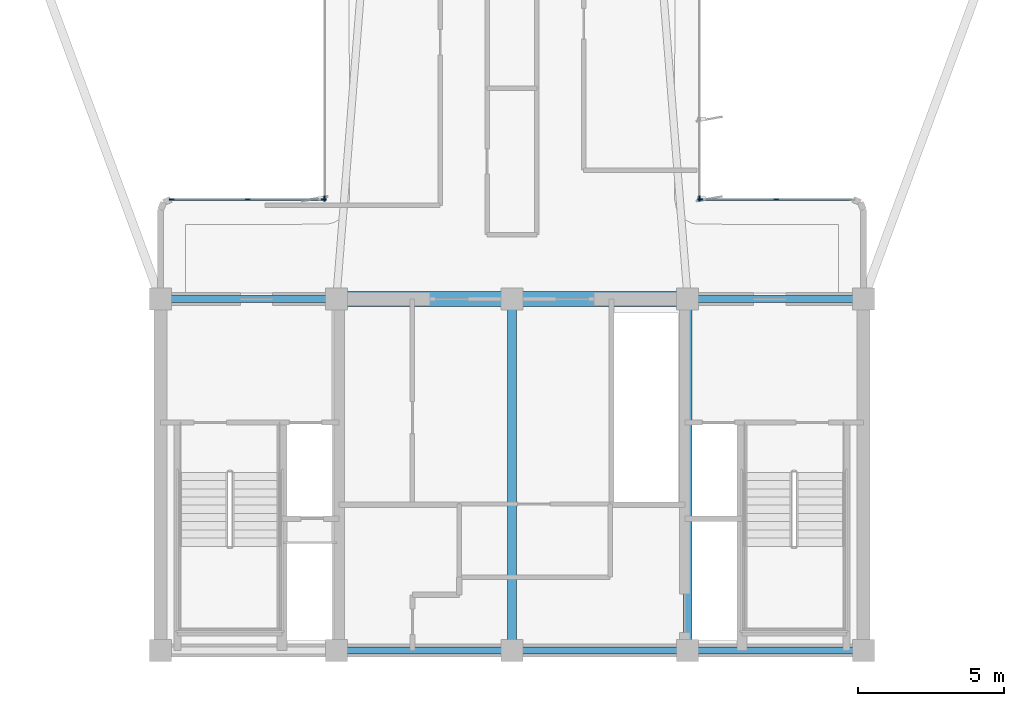
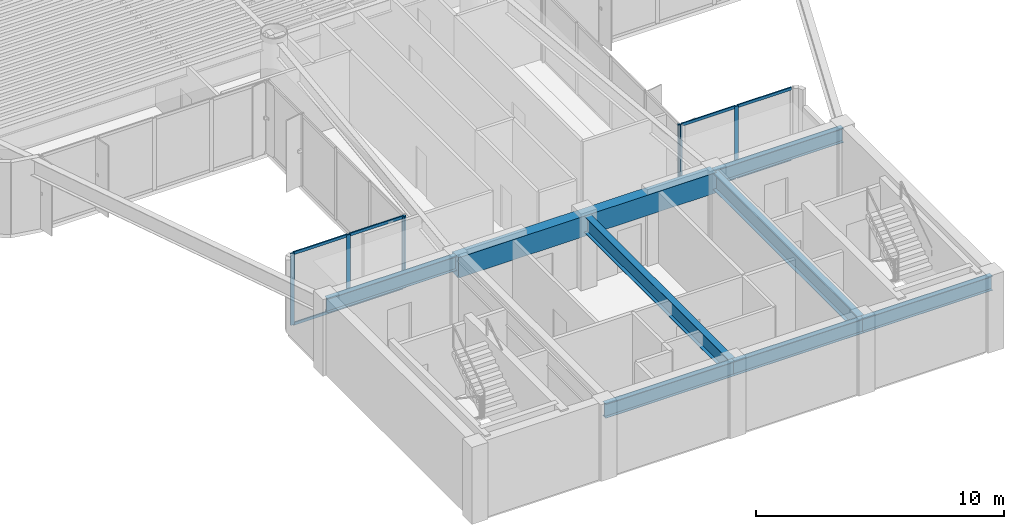
# One storey, part 2 of 14: 15 members, 8 beams, 4 elements without a shape of their own.
"""IFC4 building model written with IfcOpenShell, lengths in metres."""

from ifc_helpers import new_model, si_unit, direction, frame, origin, origin_2d, place, context, subcontext, project, spatial, rectangle, i_section, extrude, source, transform, mapped, material, layer, layer_set, material_profile, profile_set, type_object, element, aggregate, save


model = new_model("IFC4")

# Units and contexts
model_context = context("Model", 3, precision=1e-05, world=origin(), true_north=direction((0.0, 1.0)))
body_context = subcontext(model_context, "Body", "Model", "MODEL_VIEW")
ifc_project = project(units=[si_unit("LENGTHUNIT", "METRE"), si_unit("AREAUNIT", "SQUARE_METRE"), si_unit("VOLUMEUNIT", "CUBIC_METRE"), si_unit("PLANEANGLEUNIT", "RADIAN"), si_unit("MASSUNIT", "GRAM", prefix="KILO")], contexts=[model_context])

# Site, building, storey
site_placement = place(None, origin())
site = spatial("IfcSite", under=ifc_project, at=site_placement, CompositionType="ELEMENT")
building_placement = place(site_placement, origin())
building = spatial("IfcBuilding", under=site, at=building_placement, Name="Brelvock Crest Care Tower", CompositionType="ELEMENT")
storey_placement = place(building_placement, frame((0.0, 0.0, 201.780029296875)))
storey = spatial("IfcBuildingStorey", under=building, at=storey_placement, Name="L51", CompositionType="ELEMENT", Elevation=201.780029296875)

# Beams
ifc_material_1 = material(Name="Steel Grade 350", Category="steel")
ifc_material_profile_1 = material_profile(ifc_material_1, i_section(OverallWidth=0.25, OverallDepth=0.699951171875, WebThickness=0.011962890625, FlangeThickness=0.02001953125, at=origin_2d()), Name="700WB150")
ifc_profile_set_1 = profile_set([ifc_material_profile_1], Name="Steel Grade 350")
beam_type_1 = type_object("IfcBeamType", Name="BM-G4", PredefinedType="BEAM", material=ifc_profile_set_1)
shared_shape_1 = source(origin(), body_context, "Body", "SweptSolid", [
    extrude(i_section(OverallWidth=0.25, OverallDepth=0.699951171875, WebThickness=0.011962890625, FlangeThickness=0.02001953125, at=origin_2d()), origin(), (0.0, 0.0, 1.0), 6.0),
])
for number, where, z_axis, x_axis, name in (
    (1, (24.0, 18.0, 3.179931640625), (1.0, 0.0, 0.0), (0.0, 1.0, 0.0), "BM-COREN-L51-1"),
    (2, (30.0, 6.0, 3.179931640625), (1.0, 0.0, 0.0), (0.0, 1.0, 0.0), "BM-CORES-L51-2"),
    (3, (36.0, 6.0, 3.179931640625), (1.0, 0.0, 0.0), (0.0, 1.0, 0.0), "BM-CORES-L51-3"),
    (4, (42.0, 6.0, 3.179931640625), (1.0, 0.0, 0.0), (0.0, 1.0, 0.0), "BM-CORES-L51-4"),
    (5, (42.0, 18.0, 3.179931640625), (1.0, 0.0, 0.0), (0.0, 1.0, 0.0), "BM-COREN-L51-4"),
):
    element("IfcBeam", number, at=place(storey_placement, frame(where, z_axis=z_axis, x_axis=x_axis)), inside=storey, type_object=beam_type_1, Name=name, PredefinedType="BEAM", context=body_context, shape_type="MappedRepresentation", body=[
        mapped(shared_shape_1, transform((0.0, 0.0, 0.0), x_axis=(1.0, 0.0, 0.0), y_axis=(0.0, 1.0, 0.0), z_axis=(0.0, 0.0, 1.0), scale=1.0)),
    ])
ifc_material_profile_2 = material_profile(ifc_material_1, i_section(OverallWidth=0.300048828125, OverallDepth=0.800048828125, WebThickness=0.013916015625, FlangeThickness=0.02197265625, at=origin_2d()), Name="800WB192")
ifc_profile_set_2 = profile_set([ifc_material_profile_2], Name="Steel Grade 350")
beam_type_2 = type_object("IfcBeamType", Name="BM-G5", PredefinedType="BEAM", material=ifc_profile_set_2)
shared_shape_2 = source(origin(), body_context, "Body", "SweptSolid", [
    extrude(i_section(OverallWidth=0.300048828125, OverallDepth=0.800048828125, WebThickness=0.013916015625, FlangeThickness=0.02197265625, at=origin_2d()), origin(), (0.0, 0.0, 1.0), 12.0),
])
for number, where, z_axis, x_axis, name in (
    (6, (36.0, 6.0, 3.1298828125), (0.0, 1.0, 0.0), (-1.0, 0.0, 0.0), "BM-COREX-L51-3"),
    (7, (42.0, 6.0, 3.1298828125), (0.0, 1.0, 0.0), (-1.0, 0.0, 0.0), "BM-COREX-L51-4"),
):
    element("IfcBeam", number, at=place(storey_placement, frame(where, z_axis=z_axis, x_axis=x_axis)), inside=storey, type_object=beam_type_2, Name=name, PredefinedType="BEAM", context=body_context, shape_type="MappedRepresentation", body=[
        mapped(shared_shape_2, transform((0.0, 0.0, 0.0), x_axis=(1.0, 0.0, 0.0), y_axis=(0.0, 1.0, 0.0), z_axis=(0.0, 0.0, 1.0), scale=1.0)),
    ])
ifc_material_2 = material(Name="Concrete S65 (65 MPa)", Category="concrete")
ifc_material_profile_3 = material_profile(ifc_material_2, rectangle(XDim=0.5, YDim=1.0, at=origin_2d()), Name="RC500x1000")
ifc_profile_set_3 = profile_set([ifc_material_profile_3], Name="Concrete S65 (65 MPa)")
beam_type_3 = type_object("IfcBeamType", Name="BM-LN2", PredefinedType="LINTEL", material=ifc_profile_set_3)
shared_shape_3 = source(origin(), body_context, "Body", "SweptSolid", [
    extrude(rectangle(XDim=0.5, YDim=1.0, at=origin_2d()), origin(), (0.0, 0.0, 1.0), 12.0),
])
beam_placement = place(storey_placement, frame((30.0, 18.0, 3.030029296875), z_axis=(1.0, 0.0, 0.0), x_axis=(0.0, 1.0, 0.0)))
element("IfcBeam", 8, at=beam_placement, inside=storey, type_object=beam_type_3, Name="L51 Core Coupling Lintel Beam", PredefinedType="LINTEL", context=body_context, shape_type="MappedRepresentation", body=[
    mapped(shared_shape_3, transform((0.0, 0.0, 0.0), x_axis=(1.0, 0.0, 0.0), y_axis=(0.0, 1.0, 0.0), z_axis=(0.0, 0.0, 1.0), scale=1.0)),
])

# Curtain wall, members
ifc_material_3 = material(Name="Dark Glass Double Glazed Low-E", Category="glass")
ifc_layer = layer(ifc_material_3, 0.22509765625, Name="CWS-4")
ifc_layer_set = layer_set([ifc_layer], Name="Dark Glass Double Glazed Low-E")
curtain_wall_type = type_object("IfcCurtainWallType", Name="CWS-4", PredefinedType="NOTDEFINED", material=ifc_layer_set)
curtain_wall_1_placement = place(storey_placement, origin())
curtain_wall_1 = element("IfcCurtainWall", 9, at=curtain_wall_1_placement, inside=storey, type_object=curtain_wall_type, Name="L51 Curtain Wall E10", PredefinedType="NOTDEFINED")
ifc_material_4 = material(Name="Aluminium 6063-T6", Category="aluminium")
ifc_material_profile_4 = material_profile(ifc_material_4, rectangle(XDim=0.06005859375, YDim=0.179931640625, at=origin_2d()), Name="ALU60x180")
ifc_profile_set_4 = profile_set([ifc_material_profile_4], Name="Aluminium 6063-T6")
member_type_1 = type_object("IfcMemberType", Name="CWM-2", PredefinedType="MULLION", material=ifc_profile_set_4)
shared_shape_4 = source(origin(), body_context, "Body", "SweptSolid", [
    extrude(rectangle(XDim=0.06005859375, YDim=0.179931640625, at=origin_2d()), origin(), (0.0, 0.0, 1.0), 3.530029296875),
])
member_1_placement = place(storey_placement, frame((24.3798828125, 21.39990234375, 0.0), z_axis=(0.0, 0.0, 1.0), x_axis=(0.0, 1.0, 0.0)))
member_1 = element("IfcMember", 10, at=member_1_placement, type_object=member_type_1, Name="CW-4 mullion 1", PredefinedType="MULLION", context=body_context, shape_type="MappedRepresentation", body=[
    mapped(shared_shape_4, transform((0.0, 0.0, 0.0), x_axis=(1.0, 0.0, 0.0), y_axis=(0.0, 1.0, 0.0), z_axis=(0.0, 0.0, 1.0), scale=1.0)),
])
member_2_placement = place(storey_placement, frame((26.97509765625, 21.39990234375, 0.0), z_axis=(0.0, 0.0, 1.0), x_axis=(0.0, 1.0, 0.0)))
member_2 = element("IfcMember", 11, at=member_2_placement, type_object=member_type_1, Name="CW-4 mullion 2", PredefinedType="MULLION", context=body_context, shape_type="MappedRepresentation", body=[
    mapped(shared_shape_4, transform((0.0, 0.0, 0.0), x_axis=(1.0, 0.0, 0.0), y_axis=(0.0, 1.0, 0.0), z_axis=(0.0, 0.0, 1.0), scale=1.0)),
])
member_3_placement = place(storey_placement, frame((29.570068359375, 21.39990234375, 0.0), z_axis=(0.0, 0.0, 1.0), x_axis=(0.0, 1.0, 0.0)))
member_3 = element("IfcMember", 12, at=member_3_placement, type_object=member_type_1, Name="CW-4 mullion 3", PredefinedType="MULLION", context=body_context, shape_type="MappedRepresentation", body=[
    mapped(shared_shape_4, transform((0.0, 0.0, 0.0), x_axis=(1.0, 0.0, 0.0), y_axis=(0.0, 1.0, 0.0), z_axis=(0.0, 0.0, 1.0), scale=1.0)),
])

# Curtain wall, member
curtain_wall_2_placement = place(storey_placement, origin())
curtain_wall_2 = element("IfcCurtainWall", 13, at=curtain_wall_2_placement, inside=storey, type_object=curtain_wall_type, Name="L51 Curtain Wall E11", PredefinedType="NOTDEFINED")
member_4_placement = place(storey_placement, frame((29.60009765625, 21.429931640625, 0.0), z_axis=(0.0, 0.0, 1.0), x_axis=(-1.0, 0.0, 0.0)))
member_4 = element("IfcMember", 14, at=member_4_placement, type_object=member_type_1, Name="CW-4 mullion 1", PredefinedType="MULLION", context=body_context, shape_type="MappedRepresentation", body=[
    mapped(shared_shape_4, transform((0.0, 0.0, 0.0), x_axis=(1.0, 0.0, 0.0), y_axis=(0.0, 1.0, 0.0), z_axis=(0.0, 0.0, 1.0), scale=1.0)),
])
aggregate(curtain_wall_2, [member_4])

curtain_wall_3_placement = place(storey_placement, origin())
curtain_wall_3 = element("IfcCurtainWall", 15, at=curtain_wall_3_placement, inside=storey, type_object=curtain_wall_type, Name="L51 Curtain Wall E45", PredefinedType="NOTDEFINED")
member_5_placement = place(storey_placement, frame((42.39990234375, 21.429931640625, 0.0), z_axis=(0.0, 0.0, 1.0), x_axis=(1.0, 0.0, 0.0)))
member_5 = element("IfcMember", 16, at=member_5_placement, type_object=member_type_1, Name="CW-4 mullion 5", PredefinedType="MULLION", context=body_context, shape_type="MappedRepresentation", body=[
    mapped(shared_shape_4, transform((0.0, 0.0, 0.0), x_axis=(1.0, 0.0, 0.0), y_axis=(0.0, 1.0, 0.0), z_axis=(0.0, 0.0, 1.0), scale=1.0)),
])
aggregate(curtain_wall_3, [member_5])

# Curtain wall, members
curtain_wall_4_placement = place(storey_placement, origin())
curtain_wall_4 = element("IfcCurtainWall", 17, at=curtain_wall_4_placement, inside=storey, type_object=curtain_wall_type, Name="L51 Curtain Wall E46", PredefinedType="NOTDEFINED")
member_6_placement = place(storey_placement, frame((42.429931640625, 21.39990234375, 0.0), z_axis=(0.0, 0.0, 1.0), x_axis=(0.0, 1.0, 0.0)))
member_6 = element("IfcMember", 18, at=member_6_placement, type_object=member_type_1, Name="CW-4 mullion 1", PredefinedType="MULLION", context=body_context, shape_type="MappedRepresentation", body=[
    mapped(shared_shape_4, transform((0.0, 0.0, 0.0), x_axis=(1.0, 0.0, 0.0), y_axis=(0.0, 1.0, 0.0), z_axis=(0.0, 0.0, 1.0), scale=1.0)),
])
member_7_placement = place(storey_placement, frame((45.02490234375, 21.39990234375, 0.0), z_axis=(0.0, 0.0, 1.0), x_axis=(0.0, 1.0, 0.0)))
member_7 = element("IfcMember", 19, at=member_7_placement, type_object=member_type_1, Name="CW-4 mullion 2", PredefinedType="MULLION", context=body_context, shape_type="MappedRepresentation", body=[
    mapped(shared_shape_4, transform((0.0, 0.0, 0.0), x_axis=(1.0, 0.0, 0.0), y_axis=(0.0, 1.0, 0.0), z_axis=(0.0, 0.0, 1.0), scale=1.0)),
])

# Member
ifc_material_profile_5 = material_profile(ifc_material_4, rectangle(XDim=0.06005859375, YDim=0.139892578125, at=origin_2d()), Name="ALU60x140")
ifc_profile_set_5 = profile_set([ifc_material_profile_5], Name="Aluminium 6063-T6")
member_type_2 = type_object("IfcMemberType", Name="CWT-2", PredefinedType="USERDEFINED", material=ifc_profile_set_5)
shared_shape_5 = source(origin(), body_context, "Body", "SweptSolid", [
    extrude(rectangle(XDim=0.06005859375, YDim=0.139892578125, at=origin_2d()), origin(), (0.0, 0.0, 1.0), 2.53515625),
])
member_8_placement = place(storey_placement, frame((24.409912109375, 21.39990234375, 0.030029296875), z_axis=(1.0, 0.0, 0.0), x_axis=(0.0, 1.0, 0.0)))
member_8 = element("IfcMember", 20, at=member_8_placement, type_object=member_type_2, Name="CW-4 transom 1.1", ObjectType="TRANSOM", PredefinedType="USERDEFINED", context=body_context, shape_type="MappedRepresentation", body=[
    mapped(shared_shape_5, transform((0.0, 0.0, 0.0), x_axis=(1.0, 0.0, 0.0), y_axis=(0.0, 1.0, 0.0), z_axis=(0.0, 0.0, 1.0), scale=1.0)),
])

member_9_placement = place(storey_placement, frame((24.409912109375, 21.39990234375, 3.5), z_axis=(1.0, 0.0, 0.0), x_axis=(0.0, 1.0, 0.0)))
member_9 = element("IfcMember", 21, at=member_9_placement, type_object=member_type_2, Name="CW-4 transom 1.2", ObjectType="TRANSOM", PredefinedType="USERDEFINED", context=body_context, shape_type="MappedRepresentation", body=[
    mapped(shared_shape_5, transform((0.0, 0.0, 0.0), x_axis=(1.0, 0.0, 0.0), y_axis=(0.0, 1.0, 0.0), z_axis=(0.0, 0.0, 1.0), scale=1.0)),
])

member_10_placement = place(storey_placement, frame((27.0048828125, 21.39990234375, 0.030029296875), z_axis=(1.0, 0.0, 0.0), x_axis=(0.0, 1.0, 0.0)))
member_10 = element("IfcMember", 22, at=member_10_placement, type_object=member_type_2, Name="CW-4 transom 2.1", ObjectType="TRANSOM", PredefinedType="USERDEFINED", context=body_context, shape_type="MappedRepresentation", body=[
    mapped(shared_shape_5, transform((0.0, 0.0, 0.0), x_axis=(1.0, 0.0, 0.0), y_axis=(0.0, 1.0, 0.0), z_axis=(0.0, 0.0, 1.0), scale=1.0)),
])

member_11_placement = place(storey_placement, frame((27.0048828125, 21.39990234375, 3.5), z_axis=(1.0, 0.0, 0.0), x_axis=(0.0, 1.0, 0.0)))
member_11 = element("IfcMember", 23, at=member_11_placement, type_object=member_type_2, Name="CW-4 transom 2.2", ObjectType="TRANSOM", PredefinedType="USERDEFINED", context=body_context, shape_type="MappedRepresentation", body=[
    mapped(shared_shape_5, transform((0.0, 0.0, 0.0), x_axis=(1.0, 0.0, 0.0), y_axis=(0.0, 1.0, 0.0), z_axis=(0.0, 0.0, 1.0), scale=1.0)),
])

aggregate(curtain_wall_1, [member_1, member_2, member_3, member_8, member_9, member_10, member_11])

member_12_placement = place(storey_placement, frame((42.4599609375, 21.39990234375, 0.030029296875), z_axis=(1.0, 0.0, 0.0), x_axis=(0.0, 1.0, 0.0)))
member_12 = element("IfcMember", 24, at=member_12_placement, type_object=member_type_2, Name="CW-4 transom 1.1", ObjectType="TRANSOM", PredefinedType="USERDEFINED", context=body_context, shape_type="MappedRepresentation", body=[
    mapped(shared_shape_5, transform((0.0, 0.0, 0.0), x_axis=(1.0, 0.0, 0.0), y_axis=(0.0, 1.0, 0.0), z_axis=(0.0, 0.0, 1.0), scale=1.0)),
])

member_13_placement = place(storey_placement, frame((42.4599609375, 21.39990234375, 3.5), z_axis=(1.0, 0.0, 0.0), x_axis=(0.0, 1.0, 0.0)))
member_13 = element("IfcMember", 25, at=member_13_placement, type_object=member_type_2, Name="CW-4 transom 1.2", ObjectType="TRANSOM", PredefinedType="USERDEFINED", context=body_context, shape_type="MappedRepresentation", body=[
    mapped(shared_shape_5, transform((0.0, 0.0, 0.0), x_axis=(1.0, 0.0, 0.0), y_axis=(0.0, 1.0, 0.0), z_axis=(0.0, 0.0, 1.0), scale=1.0)),
])

member_14_placement = place(storey_placement, frame((45.054931640625, 21.39990234375, 0.030029296875), z_axis=(1.0, 0.0, 0.0), x_axis=(0.0, 1.0, 0.0)))
member_14 = element("IfcMember", 26, at=member_14_placement, type_object=member_type_2, Name="CW-4 transom 2.1", ObjectType="TRANSOM", PredefinedType="USERDEFINED", context=body_context, shape_type="MappedRepresentation", body=[
    mapped(shared_shape_5, transform((0.0, 0.0, 0.0), x_axis=(1.0, 0.0, 0.0), y_axis=(0.0, 1.0, 0.0), z_axis=(0.0, 0.0, 1.0), scale=1.0)),
])

member_15_placement = place(storey_placement, frame((45.054931640625, 21.39990234375, 3.5), z_axis=(1.0, 0.0, 0.0), x_axis=(0.0, 1.0, 0.0)))
member_15 = element("IfcMember", 27, at=member_15_placement, type_object=member_type_2, Name="CW-4 transom 2.2", ObjectType="TRANSOM", PredefinedType="USERDEFINED", context=body_context, shape_type="MappedRepresentation", body=[
    mapped(shared_shape_5, transform((0.0, 0.0, 0.0), x_axis=(1.0, 0.0, 0.0), y_axis=(0.0, 1.0, 0.0), z_axis=(0.0, 0.0, 1.0), scale=1.0)),
])

aggregate(curtain_wall_4, [member_6, member_7, member_12, member_13, member_14, member_15])

save(model, "model.ifc")
